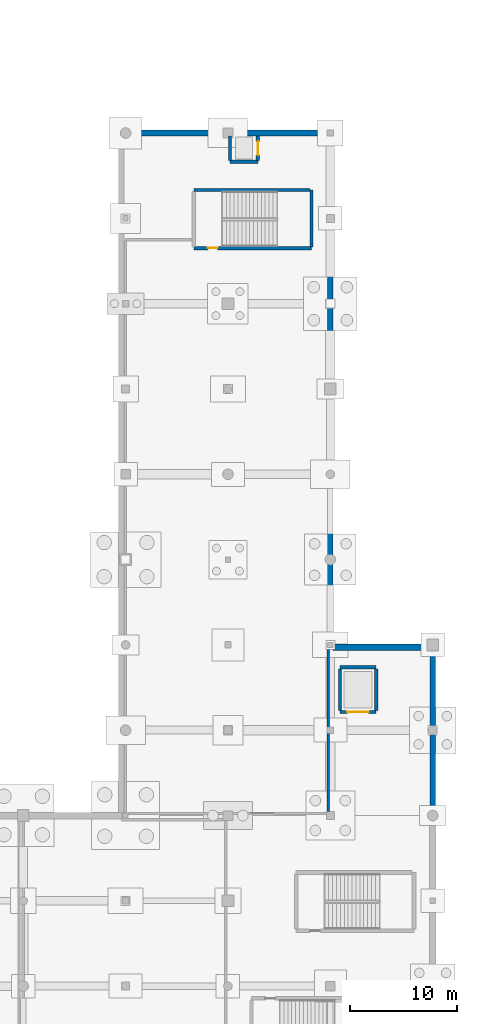
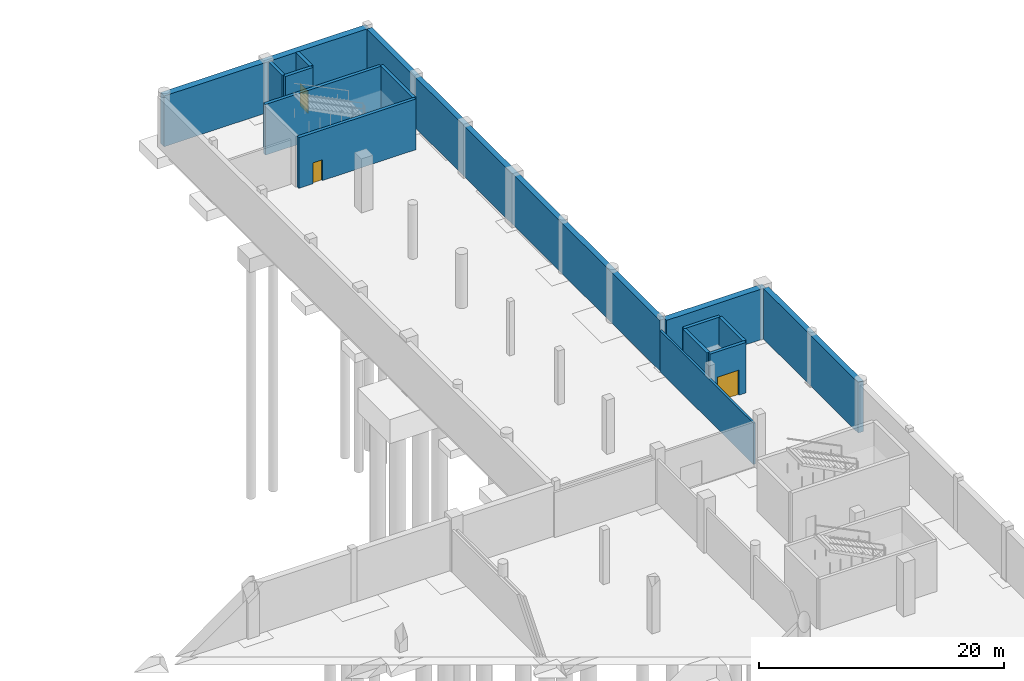
# One storey, part 30 of 44: 15 walls, 3 doors, 3 openings.
"""IFC4 building model written with IfcOpenShell, lengths in metres."""

from ifc_helpers import new_model, si_unit, direction, frame, frame_2d, origin, place, context, subcontext, project, spatial, rectangle, extrude, material, layer, layer_set, type_object, element, fill, save


model = new_model("IFC4")

# Units and contexts
model_context = context("Model", 3, precision=1e-05, world=origin(), true_north=direction((0.0, 1.0)))
body_context = subcontext(model_context, "Body", "Model", "MODEL_VIEW")
ifc_project = project(units=[si_unit("LENGTHUNIT", "METRE"), si_unit("AREAUNIT", "SQUARE_METRE"), si_unit("VOLUMEUNIT", "CUBIC_METRE"), si_unit("PLANEANGLEUNIT", "RADIAN"), si_unit("MASSUNIT", "GRAM", prefix="KILO")], contexts=[model_context])

# Site, building, storey
site_placement = place(None, origin())
site = spatial("IfcSite", under=ifc_project, at=site_placement, CompositionType="ELEMENT")
building_placement = place(site_placement, origin())
building = spatial("IfcBuilding", under=site, at=building_placement, Name="Danafjord Basin Convention Centre", CompositionType="ELEMENT")
storey_placement = place(building_placement, frame((0.0, 0.0, -5.39990234375)))
storey = spatial("IfcBuildingStorey", under=building, at=storey_placement, Name="B1", CompositionType="ELEMENT", Elevation=-5.39990234375)

# Wall, opening, door
ifc_material_1 = material(Name="Concrete C40/50", Category="concrete")
ifc_layer_1 = layer(ifc_material_1, 0.300048828125)
ifc_layer_set_1 = layer_set([ifc_layer_1], Name="Concrete C40/50")
wall_type_1 = type_object("IfcWallType", Name="WALL-CW-CORE300", PredefinedType="SHEAR", material=ifc_layer_set_1)
wall_1_placement = place(storey_placement, frame((188.800048828125, 117.199951171875, 0.0), z_axis=(0.0, 0.0, 1.0), x_axis=(1.0, 0.0, 0.0)))
wall_1 = element("IfcWall", 1, at=wall_1_placement, inside=storey, type_object=wall_type_1, Name="Plenary North-East Core Stair 1 core shear wall (south)", PredefinedType="SHEAR", context=body_context, shape_type="SweptSolid", body=[
    extrude(rectangle(XDim=11.0400390625, YDim=0.300048828125, at=frame_2d((5.52001953125, 0.0))), origin(), (0.0, 0.0, 1.0), 5.059814453125),
])
opening_1_placement = place(wall_1_placement, frame((1.31201171875, 0.0, 0.0)))
opening_1 = element("IfcOpeningElement", 2, at=opening_1_placement, cuts=wall_1, Name="Opening FD-S01", PredefinedType="OPENING", context=body_context, shape_type="SweptSolid", body=[
    extrude(rectangle(XDim=0.909912109375, YDim=2.080078125, at=frame_2d((0.455078125, 1.0400390625))), frame((0.0, 0.159912109375, 0.0), z_axis=(0.0, -1.0, 0.0), x_axis=(1.0, 0.0, 0.0)), (0.0, 0.0, 1.0), 0.320068359375),
])
ifc_material_2 = material(Name="Powder-coated steel and Nordic oak", Category="steel")
door_type_1 = type_object("IfcDoorType", Name="DOOR-FD-S01", OperationType="NOTDEFINED", PredefinedType="DOOR", material=ifc_material_2)
door_1_placement = place(opening_1_placement, origin())
door_1 = element("IfcDoor", 3, at=door_1_placement, inside=storey, type_object=door_type_1, Name="Plenary North-East Core Stair 1 B1 Fire Exit Door", OperationType="SINGLE_SWING_RIGHT", OverallHeight=2.080078125, OverallWidth=0.909912109375, PredefinedType="DOOR", context=body_context, shape_type="SweptSolid", body=[
    extrude(rectangle(XDim=0.909912109375, YDim=2.080078125, at=frame_2d((0.455078125, 1.0400390625))), frame((0.0, 0.02490234375, 0.0), z_axis=(0.0, -1.0, 0.0), x_axis=(1.0, 0.0, 0.0)), (0.0, 0.0, 1.0), 0.050048828125),
])
fill(opening_1, door_1)

# Walls
wall_2_placement = place(storey_placement, frame((199.840087890625, 117.3349609375, 0.0), z_axis=(0.0, 0.0, 1.0), x_axis=(0.0, 1.0, 0.0)))
element("IfcWall", 4, at=wall_2_placement, inside=storey, type_object=wall_type_1, Name="Plenary North-East Core Stair 1 core shear wall (east)", PredefinedType="SHEAR", context=body_context, shape_type="SweptSolid", body=[
    extrude(rectangle(XDim=5.324951171875, YDim=0.300048828125, at=frame_2d((2.66259765625, 0.0))), origin(), (0.0, 0.0, 1.0), 5.059814453125),
])
wall_3_placement = place(storey_placement, frame((199.705078125, 122.659912109375, 0.0), z_axis=(0.0, 0.0, 1.0), x_axis=(-1.0, 0.0, 0.0)))
element("IfcWall", 5, at=wall_3_placement, inside=storey, type_object=wall_type_1, Name="Plenary North-East Core Stair 1 core shear wall (north)", PredefinedType="SHEAR", context=body_context, shape_type="SweptSolid", body=[
    extrude(rectangle(XDim=10.905029296875, YDim=0.300048828125, at=frame_2d((5.45263671875, 0.0))), origin(), (0.0, 0.0, 1.0), 5.059814453125),
])
wall_4_placement = place(storey_placement, frame((192.199951171875, 125.300048828125, 0.0), z_axis=(0.0, 0.0, 1.0), x_axis=(1.0, 0.0, 0.0)))
element("IfcWall", 6, at=wall_4_placement, inside=storey, type_object=wall_type_1, Name="Lift LF-P05 shaft shear wall", PredefinedType="SHEAR", context=body_context, shape_type="SweptSolid", body=[
    extrude(rectangle(XDim=2.60009765625, YDim=0.300048828125, at=frame_2d((1.300048828125, 0.0))), origin(), (0.0, 0.0, 1.0), 5.059814453125),
])

# Wall, opening, door
wall_5_placement = place(storey_placement, frame((194.800048828125, 125.43505859375, 0.0), z_axis=(0.0, 0.0, 1.0), x_axis=(0.0, 1.0, 0.0)))
wall_5 = element("IfcWall", 7, at=wall_5_placement, inside=storey, type_object=wall_type_1, Name="Lift LF-P05 shaft shear wall", PredefinedType="SHEAR", context=body_context, shape_type="SweptSolid", body=[
    extrude(rectangle(XDim=2.284912109375, YDim=0.300048828125, at=frame_2d((1.142578125, 0.0))), origin(), (0.0, 0.0, 1.0), 5.059814453125),
])
opening_2_placement = place(wall_5_placement, frame((0.491943359375, 0.0, 0.0)))
opening_2 = element("IfcOpeningElement", 8, at=opening_2_placement, cuts=wall_5, Name="Opening LD-P02", PredefinedType="OPENING", context=body_context, shape_type="SweptSolid", body=[
    extrude(rectangle(XDim=1.300048828125, YDim=2.219970703125, at=frame_2d((0.64990234375, 1.10986328125))), frame((0.0, 0.159912109375, 0.0), z_axis=(0.0, -1.0, 0.0), x_axis=(1.0, 0.0, 0.0)), (0.0, 0.0, 1.0), 0.320068359375),
])
ifc_material_3 = material(Name="Brushed stainless steel and acoustic laminated glass", Category="steel")
door_type_2 = type_object("IfcDoorType", Name="DOOR-LD-P02", OperationType="DOUBLE_DOOR_SLIDING", PredefinedType="DOOR", material=ifc_material_3)
door_2_placement = place(opening_2_placement, origin())
door_2 = element("IfcDoor", 9, at=door_2_placement, inside=storey, type_object=door_type_2, Name="Lift LF-P05 B1 Landing Door", OperationType="DOUBLE_DOOR_SLIDING", OverallHeight=2.219970703125, OverallWidth=1.300048828125, PredefinedType="DOOR", context=body_context, shape_type="SweptSolid", body=[
    extrude(rectangle(XDim=1.300048828125, YDim=2.219970703125, at=frame_2d((0.64990234375, 1.10986328125))), frame((0.0, 0.02490234375, 0.0), z_axis=(0.0, -1.0, 0.0), x_axis=(1.0, 0.0, 0.0)), (0.0, 0.0, 1.0), 0.050048828125),
])
fill(opening_2, door_2)

# Walls
wall_6_placement = place(storey_placement, frame((192.199951171875, 127.719970703125, 0.0), z_axis=(0.0, 0.0, 1.0), x_axis=(0.0, -1.0, 0.0)))
element("IfcWall", 10, at=wall_6_placement, inside=storey, type_object=wall_type_1, Name="Lift LF-P05 shaft shear wall", PredefinedType="SHEAR", context=body_context, shape_type="SweptSolid", body=[
    extrude(rectangle(XDim=2.284912109375, YDim=0.300048828125, at=frame_2d((1.142578125, 0.0))), origin(), (0.0, 0.0, 1.0), 5.059814453125),
])
wall_7_placement = place(storey_placement, frame((205.89990234375, 77.89990234375, 0.0), z_axis=(0.0, 0.0, 1.0), x_axis=(-1.0, 0.0, 0.0)))
element("IfcWall", 11, at=wall_7_placement, inside=storey, type_object=wall_type_1, Name="Lift LF-G02 shaft shear wall", PredefinedType="SHEAR", context=body_context, shape_type="SweptSolid", body=[
    extrude(rectangle(XDim=3.39990234375, YDim=0.300048828125, at=frame_2d((1.699951171875, 0.0))), origin(), (0.0, 0.0, 1.0), 5.039794921875),
])

# Wall, opening, door
wall_8_placement = place(storey_placement, frame((202.5, 73.699951171875, 0.0), z_axis=(0.0, 0.0, 1.0), x_axis=(1.0, 0.0, 0.0)))
wall_8 = element("IfcWall", 12, at=wall_8_placement, inside=storey, type_object=wall_type_1, Name="Lift LF-G02 shaft shear wall", PredefinedType="SHEAR", context=body_context, shape_type="SweptSolid", body=[
    extrude(rectangle(XDim=3.39990234375, YDim=0.300048828125, at=frame_2d((1.699951171875, 0.0))), origin(), (0.0, 0.0, 1.0), 5.039794921875),
])
opening_3_placement = place(wall_8_placement, frame((0.699951171875, 0.0, 0.0)))
opening_3 = element("IfcOpeningElement", 13, at=opening_3_placement, cuts=wall_8, Name="Opening LD-G01", PredefinedType="OPENING", context=body_context, shape_type="SweptSolid", body=[
    extrude(rectangle(XDim=2.0, YDim=2.5, at=frame_2d((1.0, 1.25))), frame((0.0, 0.159912109375, 0.0), z_axis=(0.0, -1.0, 0.0), x_axis=(1.0, 0.0, 0.0)), (0.0, 0.0, 1.0), 0.320068359375),
])
door_type_3 = type_object("IfcDoorType", Name="DOOR-LD-G01", OperationType="DOUBLE_DOOR_SLIDING", PredefinedType="DOOR", material=ifc_material_3)
door_3_placement = place(opening_3_placement, origin())
door_3 = element("IfcDoor", 14, at=door_3_placement, inside=storey, type_object=door_type_3, Name="Lift LF-G02 B1 Landing Door", OperationType="DOUBLE_DOOR_SLIDING", OverallHeight=2.5, OverallWidth=2.0, PredefinedType="DOOR", context=body_context, shape_type="SweptSolid", body=[
    extrude(rectangle(XDim=2.0, YDim=2.5, at=frame_2d((1.0, 1.25))), frame((0.0, 0.02490234375, 0.0), z_axis=(0.0, -1.0, 0.0), x_axis=(1.0, 0.0, 0.0)), (0.0, 0.0, 1.0), 0.050048828125),
])
fill(opening_3, door_3)

# Walls
for number, where, z_axis, x_axis, name in (
    (15, (205.89990234375, 73.8349609375, 0.0), (0.0, 0.0, 1.0), (0.0, 1.0, 0.0), "Lift LF-G02 shaft shear wall"),
    (16, (202.5, 77.764892578125, 0.0), (0.0, 0.0, 1.0), (0.0, -1.0, 0.0), "Lift LF-G02 shaft shear wall"),
):
    element("IfcWall", number, at=place(storey_placement, frame(where, z_axis=z_axis, x_axis=x_axis)), inside=storey, type_object=wall_type_1, Name=name, PredefinedType="SHEAR", context=body_context, shape_type="SweptSolid", body=[
        extrude(rectangle(XDim=3.929931640625, YDim=0.300048828125, at=frame_2d((1.96484375, 0.0))), origin(), (0.0, 0.0, 1.0), 5.039794921875),
    ])
ifc_layer_2 = layer(ifc_material_1, 0.5)
ifc_layer_set_2 = layer_set([ifc_layer_2], Name="Concrete C40/50")
wall_type_2 = type_object("IfcWallType", Name="WALL-EW-RET500", PredefinedType="SHEAR", material=ifc_layer_set_2)
wall_9_placement = place(storey_placement, frame((201.60009765625, 127.715087890625, 0.0), z_axis=(0.0, 0.0, 1.0), x_axis=(0.0, -1.0, 0.0)))
element("IfcWall", 17, at=wall_9_placement, inside=storey, type_object=wall_type_2, Name="B1 waterproofed basement retaining wall 4", PredefinedType="SHEAR", context=body_context, shape_type="SweptSolid", body=[
    extrude(rectangle(XDim=47.9150390625, YDim=0.5, at=frame_2d((23.95751953125, 0.0))), origin(), (0.0, 0.0, 1.0), 5.039794921875),
])
wall_10_placement = place(storey_placement, frame((211.199951171875, 79.514892578125, 0.0), z_axis=(0.0, 0.0, 1.0), x_axis=(0.0, -1.0, 0.0)))
element("IfcWall", 18, at=wall_10_placement, inside=storey, type_object=wall_type_2, Name="B1 waterproofed basement retaining wall 6", PredefinedType="SHEAR", context=body_context, shape_type="SweptSolid", body=[
    extrude(rectangle(XDim=15.514892578125, YDim=0.5, at=frame_2d((7.75732421875, 0.0))), origin(), (0.0, 0.0, 1.0), 5.039794921875),
])
ifc_layer_3 = layer(ifc_material_1, 0.60009765625)
ifc_layer_set_3 = layer_set([ifc_layer_3], Name="Concrete C40/50")
wall_type_3 = type_object("IfcWallType", Name="WALL-EW-RET600", PredefinedType="SHEAR", material=ifc_layer_set_3)
wall_11_placement = place(storey_placement, frame((182.235107421875, 128.0, 0.0), z_axis=(0.0, 0.0, 1.0), x_axis=(1.0, 0.0, 0.0)))
element("IfcWall", 19, at=wall_11_placement, inside=storey, type_object=wall_type_3, Name="B1 waterproofed basement retaining wall 3", PredefinedType="SHEAR", context=body_context, shape_type="SweptSolid", body=[
    extrude(rectangle(XDim=19.364990234375, YDim=0.60009765625, at=frame_2d((9.6826171875, 0.0))), origin(), (0.0, 0.0, 1.0), 5.059814453125),
])
wall_12_placement = place(storey_placement, frame((201.8349609375, 79.800048828125, 0.0), z_axis=(0.0, 0.0, 1.0), x_axis=(1.0, 0.0, 0.0)))
element("IfcWall", 20, at=wall_12_placement, inside=storey, type_object=wall_type_3, Name="B1 waterproofed basement retaining wall 5", PredefinedType="SHEAR", context=body_context, shape_type="SweptSolid", body=[
    extrude(rectangle(XDim=9.364990234375, YDim=0.60009765625, at=frame_2d((4.6826171875, 0.0))), origin(), (0.0, 0.0, 1.0), 5.039794921875),
])
ifc_material_4 = material(Name="Concrete C35/45", Category="concrete")
ifc_layer_4 = layer(ifc_material_4, 0.205078125)
ifc_layer_set_4 = layer_set([ifc_layer_4], Name="Concrete C35/45")
wall_type_4 = type_object("IfcWallType", Name="WALL-W-COMP205", PredefinedType="SOLIDWALL", material=ifc_layer_set_4)
wall_13_placement = place(storey_placement, frame((201.39990234375, 64.39990234375, 0.0), z_axis=(0.0, 0.0, 1.0), x_axis=(0.0, 1.0, 0.0)))
element("IfcWall", 21, at=wall_13_placement, inside=storey, type_object=wall_type_4, Name="Auditorium Hydraulics and Audio-Visual Crate Store east partition", PredefinedType="SOLIDWALL", context=body_context, shape_type="SweptSolid", body=[
    extrude(rectangle(XDim=15.31201171875, YDim=0.205078125, at=frame_2d((7.656005859375, 0.0))), origin(), (0.0, 0.0, 1.0), 4.10986328125),
])

save(model, "model.ifc")
